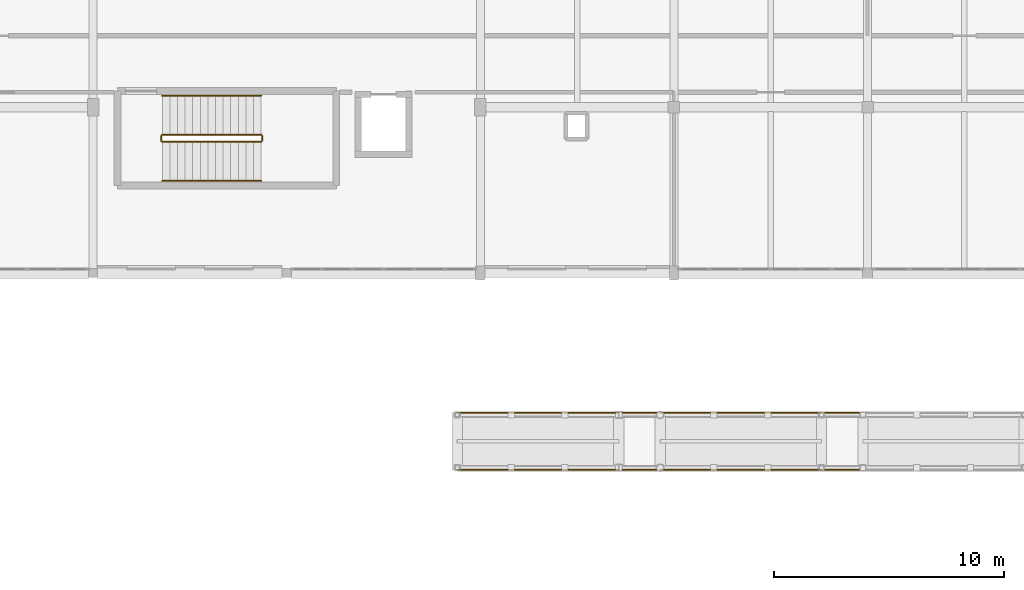
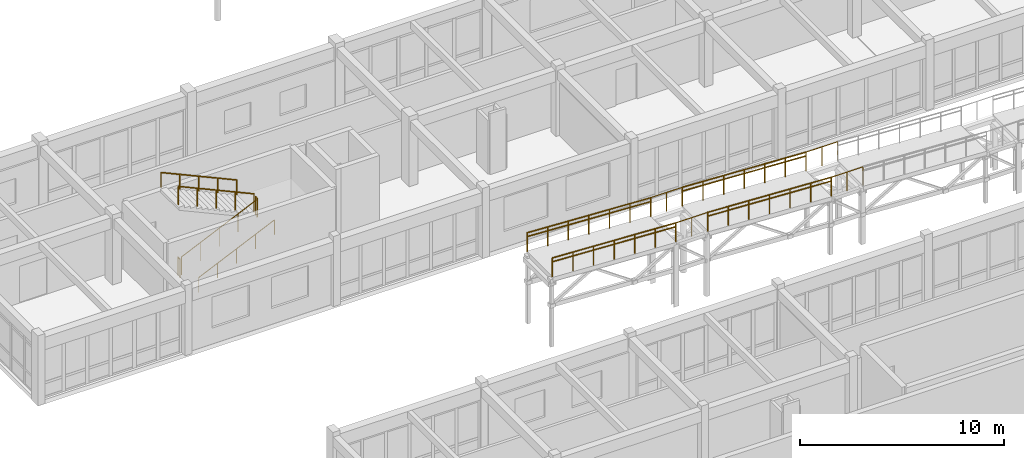
# One storey, part 83 of 89: 18 railings.
"""IFC4 building model written with IfcOpenShell, lengths in metres."""

from ifc_helpers import new_model, si_unit, direction, frame, origin, origin_2d, place, context, subcontext, project, spatial, circle, extrude, material, layer, layer_set, type_object, element, save


model = new_model("IFC4")

# Units and contexts
model_context = context("Model", 3, precision=1e-05, world=origin(), true_north=direction((0.0, 1.0)))
body_context = subcontext(model_context, "Body", "Model", "MODEL_VIEW")
ifc_project = project(units=[si_unit("LENGTHUNIT", "METRE"), si_unit("AREAUNIT", "SQUARE_METRE"), si_unit("VOLUMEUNIT", "CUBIC_METRE"), si_unit("PLANEANGLEUNIT", "RADIAN"), si_unit("MASSUNIT", "GRAM", prefix="KILO")], contexts=[model_context])

# Site, building, storey
site_placement = place(None, origin())
site = spatial("IfcSite", under=ifc_project, at=site_placement, CompositionType="ELEMENT")
building_placement = place(site_placement, origin())
building = spatial("IfcBuilding", under=site, at=building_placement, Name="Malvenik Polytechnic", CompositionType="ELEMENT")
storey_placement = place(building_placement, frame((0.0, 0.0, 13.5)))
storey = spatial("IfcBuildingStorey", under=building, at=storey_placement, Name="L03", CompositionType="ELEMENT", Elevation=13.5)

# Railings
ifc_material_1 = material(Name="Galvanised powder-coated steel and laminated glass guard 1150mm", Category="steel")
ifc_layer_1 = layer(ifc_material_1, 0.070068359375)
ifc_layer_set_1 = layer_set([ifc_layer_1], Name="Galvanised powder-coated steel and laminated glass guard 1150mm")
railing_type_1 = type_object("IfcRailingType", Name="ARC-RL-BAL-1150", PredefinedType="BALUSTRADE", material=ifc_layer_set_1)
for number, where, name in (
    (1, (40.0, 70.659912109375, 3.5), "Ramp Landing Balustrade RB-02 #10S"),
    (2, (40.0, 73.139892578125, 3.5), "Ramp Landing Balustrade RB-02 #10N"),
):
    element("IfcRailing", number, at=place(storey_placement, frame(where)), inside=storey, type_object=railing_type_1, Name=name, PredefinedType="BALUSTRADE", context=body_context, shape_type="SweptSolid", body=[
        extrude(circle(Radius=0.02392578125, at=origin_2d()), frame((0.0, 0.0, 1.1259765625), z_axis=(1.0, 0.0, 0.0), x_axis=(0.0, 1.0, 0.0)), (0.0, 0.0, 1.0), 1.800048828125),
        extrude(circle(Radius=0.02099609375, at=origin_2d()), origin(), (0.0, 0.0, 1.0), 1.101806640625),
        extrude(circle(Radius=0.02099609375, at=origin_2d()), frame((0.89990234375, 0.0, 0.0)), (0.0, 0.0, 1.0), 1.101806640625),
        extrude(circle(Radius=0.02099609375, at=origin_2d()), frame((1.800048828125, 0.0, 0.0)), (0.0, 0.0, 1.0), 1.101806640625),
    ])
for number, where, name in (
    (3, (33.0, 70.659912109375, 3.85009765625), "Ramp Balustrade RB-02 #11S"),
    (4, (33.0, 73.139892578125, 3.85009765625), "Ramp Balustrade RB-02 #11N"),
):
    element("IfcRailing", number, at=place(storey_placement, frame(where)), inside=storey, type_object=railing_type_1, Name=name, PredefinedType="BALUSTRADE", context=body_context, shape_type="SweptSolid", body=[
        extrude(circle(Radius=0.02392578125, at=origin_2d()), frame((0.0, 0.0, 1.1259765625), z_axis=(0.998751643845, 0.0, -0.049951515669), x_axis=(0.0, 1.0, 0.0)), (0.0, 0.0, 1.0), 7.0087890625),
        extrude(circle(Radius=0.02099609375, at=origin_2d()), origin(), (0.0, 0.0, 1.0), 1.101806640625),
        extrude(circle(Radius=0.02099609375, at=origin_2d()), frame((1.166748046875, 0.0, -0.058349609375)), (0.0, 0.0, 1.0), 1.101806640625),
        extrude(circle(Radius=0.02099609375, at=origin_2d()), frame((2.333251953125, 0.0, -0.11669921875)), (0.0, 0.0, 1.0), 1.101806640625),
        extrude(circle(Radius=0.02099609375, at=origin_2d()), frame((3.5, 0.0, -0.175048828125)), (0.0, 0.0, 1.0), 1.101806640625),
        extrude(circle(Radius=0.02099609375, at=origin_2d()), frame((4.666748046875, 0.0, -0.2333984375)), (0.0, 0.0, 1.0), 1.101806640625),
        extrude(circle(Radius=0.02099609375, at=origin_2d()), frame((5.833251953125, 0.0, -0.291748046875)), (0.0, 0.0, 1.0), 1.101806640625),
        extrude(circle(Radius=0.02099609375, at=origin_2d()), frame((7.0, 0.0, -0.35009765625)), (0.0, 0.0, 1.0), 1.101806640625),
    ])
for number, where, name in (
    (5, (31.199951171875, 70.659912109375, 3.85009765625), "Ramp Landing Balustrade RB-02 #11S"),
    (6, (31.199951171875, 73.139892578125, 3.85009765625), "Ramp Landing Balustrade RB-02 #11N"),
):
    element("IfcRailing", number, at=place(storey_placement, frame(where)), inside=storey, type_object=railing_type_1, Name=name, PredefinedType="BALUSTRADE", context=body_context, shape_type="SweptSolid", body=[
        extrude(circle(Radius=0.02392578125, at=origin_2d()), frame((0.0, 0.0, 1.1259765625), z_axis=(1.0, 0.0, 0.0), x_axis=(0.0, 1.0, 0.0)), (0.0, 0.0, 1.0), 1.800048828125),
        extrude(circle(Radius=0.02099609375, at=origin_2d()), origin(), (0.0, 0.0, 1.0), 1.101806640625),
        extrude(circle(Radius=0.02099609375, at=origin_2d()), frame((0.89990234375, 0.0, 0.0)), (0.0, 0.0, 1.0), 1.101806640625),
        extrude(circle(Radius=0.02099609375, at=origin_2d()), frame((1.800048828125, 0.0, 0.0)), (0.0, 0.0, 1.0), 1.101806640625),
    ])
for number, where, name in (
    (7, (24.199951171875, 70.659912109375, 4.199951171875), "Ramp Balustrade RB-02 #12S"),
    (8, (24.199951171875, 73.139892578125, 4.199951171875), "Ramp Balustrade RB-02 #12N"),
):
    element("IfcRailing", number, at=place(storey_placement, frame(where)), inside=storey, type_object=railing_type_1, Name=name, PredefinedType="BALUSTRADE", context=body_context, shape_type="SweptSolid", body=[
        extrude(circle(Radius=0.02392578125, at=origin_2d()), frame((0.0, 0.0, 1.1259765625), z_axis=(0.998753381067, 0.0, -0.049916768801), x_axis=(0.0, 1.0, 0.0)), (0.0, 0.0, 1.0), 7.0087890625),
        extrude(circle(Radius=0.02099609375, at=origin_2d()), origin(), (0.0, 0.0, 1.0), 1.101806640625),
        extrude(circle(Radius=0.02099609375, at=origin_2d()), frame((1.166748046875, 0.0, -0.058349609375)), (0.0, 0.0, 1.0), 1.101806640625),
        extrude(circle(Radius=0.02099609375, at=origin_2d()), frame((2.333251953125, 0.0, -0.11669921875)), (0.0, 0.0, 1.0), 1.101806640625),
        extrude(circle(Radius=0.02099609375, at=origin_2d()), frame((3.5, 0.0, -0.1748046875)), (0.0, 0.0, 1.0), 1.101806640625),
        extrude(circle(Radius=0.02099609375, at=origin_2d()), frame((4.666748046875, 0.0, -0.233154296875)), (0.0, 0.0, 1.0), 1.101806640625),
        extrude(circle(Radius=0.02099609375, at=origin_2d()), frame((5.833251953125, 0.0, -0.29150390625)), (0.0, 0.0, 1.0), 1.101806640625),
        extrude(circle(Radius=0.02099609375, at=origin_2d()), frame((7.0, 0.0, -0.349853515625)), (0.0, 0.0, 1.0), 1.101806640625),
    ])
ifc_material_2 = material(Name="Brushed stainless steel 1.4301 tubular handrail 50mm", Category="steel")
ifc_layer_2 = layer(ifc_material_2, 0.050048828125)
ifc_layer_set_2 = layer_set([ifc_layer_2], Name="Brushed stainless steel 1.4301 tubular handrail 50mm")
railing_type_2 = type_object("IfcRailingType", Name="ARC-RL-HR-920", PredefinedType="HANDRAIL", material=ifc_layer_set_2)
for number, where, name in (
    (9, (33.0, 70.659912109375, 3.85009765625), "Ramp Handrail RB-02 #11S"),
    (10, (33.0, 73.139892578125, 3.85009765625), "Ramp Handrail RB-02 #11N"),
):
    element("IfcRailing", number, at=place(storey_placement, frame(where)), inside=storey, type_object=railing_type_2, Name=name, PredefinedType="HANDRAIL", context=body_context, shape_type="SweptSolid", body=[
        extrude(circle(Radius=0.02392578125, at=origin_2d()), frame((0.0, 0.0, 0.89599609375), z_axis=(0.998751643845, 0.0, -0.049951515669), x_axis=(0.0, 1.0, 0.0)), (0.0, 0.0, 1.0), 7.0087890625),
        extrude(circle(Radius=0.02099609375, at=origin_2d()), origin(), (0.0, 0.0, 1.0), 0.871826171875),
        extrude(circle(Radius=0.02099609375, at=origin_2d()), frame((1.166748046875, 0.0, -0.058349609375)), (0.0, 0.0, 1.0), 0.871826171875),
        extrude(circle(Radius=0.02099609375, at=origin_2d()), frame((2.333251953125, 0.0, -0.11669921875)), (0.0, 0.0, 1.0), 0.871826171875),
        extrude(circle(Radius=0.02099609375, at=origin_2d()), frame((3.5, 0.0, -0.175048828125)), (0.0, 0.0, 1.0), 0.871826171875),
        extrude(circle(Radius=0.02099609375, at=origin_2d()), frame((4.666748046875, 0.0, -0.2333984375)), (0.0, 0.0, 1.0), 0.871826171875),
        extrude(circle(Radius=0.02099609375, at=origin_2d()), frame((5.833251953125, 0.0, -0.291748046875)), (0.0, 0.0, 1.0), 0.871826171875),
        extrude(circle(Radius=0.02099609375, at=origin_2d()), frame((7.0, 0.0, -0.35009765625)), (0.0, 0.0, 1.0), 0.871826171875),
    ])
for number, where, name in (
    (11, (24.199951171875, 70.659912109375, 4.199951171875), "Ramp Handrail RB-02 #12S"),
    (12, (24.199951171875, 73.139892578125, 4.199951171875), "Ramp Handrail RB-02 #12N"),
):
    element("IfcRailing", number, at=place(storey_placement, frame(where)), inside=storey, type_object=railing_type_2, Name=name, PredefinedType="HANDRAIL", context=body_context, shape_type="SweptSolid", body=[
        extrude(circle(Radius=0.02392578125, at=origin_2d()), frame((0.0, 0.0, 0.89599609375), z_axis=(0.998753381067, 0.0, -0.049916768801), x_axis=(0.0, 1.0, 0.0)), (0.0, 0.0, 1.0), 7.0087890625),
        extrude(circle(Radius=0.02099609375, at=origin_2d()), origin(), (0.0, 0.0, 1.0), 0.871826171875),
        extrude(circle(Radius=0.02099609375, at=origin_2d()), frame((1.166748046875, 0.0, -0.058349609375)), (0.0, 0.0, 1.0), 0.871826171875),
        extrude(circle(Radius=0.02099609375, at=origin_2d()), frame((2.333251953125, 0.0, -0.11669921875)), (0.0, 0.0, 1.0), 0.871826171875),
        extrude(circle(Radius=0.02099609375, at=origin_2d()), frame((3.5, 0.0, -0.1748046875)), (0.0, 0.0, 1.0), 0.871826171875),
        extrude(circle(Radius=0.02099609375, at=origin_2d()), frame((4.666748046875, 0.0, -0.233154296875)), (0.0, 0.0, 1.0), 0.871826171875),
        extrude(circle(Radius=0.02099609375, at=origin_2d()), frame((5.833251953125, 0.0, -0.29150390625)), (0.0, 0.0, 1.0), 0.871826171875),
        extrude(circle(Radius=0.02099609375, at=origin_2d()), frame((7.0, 0.0, -0.349853515625)), (0.0, 0.0, 1.0), 0.871826171875),
    ])
ifc_material_3 = material(Name="Painted galvanised steel stair well balustrade 1100mm", Category="steel")
ifc_layer_3 = layer(ifc_material_3, 0.050048828125)
ifc_layer_set_3 = layer_set([ifc_layer_3], Name="Painted galvanised steel stair well balustrade 1100mm")
railing_type_3 = type_object("IfcRailingType", Name="ARC-RL-STGD", PredefinedType="BALUSTRADE", material=ifc_layer_set_3)
railing_1_placement = place(storey_placement, frame((11.39990234375, 84.89990234375, 0.14990234375)))
element("IfcRailing", 13, at=railing_1_placement, inside=storey, type_object=railing_type_3, Name="L03 ST-04 stair guard 1", PredefinedType="BALUSTRADE", context=body_context, shape_type="SweptSolid", body=[
    extrude(circle(Radius=0.02392578125, at=origin_2d()), frame((0.0, 0.0, 1.076171875), z_axis=(0.910352283233, 0.0, 0.413834170184), x_axis=(0.0, 1.0, 0.0)), (0.0, 0.0, 1.0), 4.71240234375),
    extrude(circle(Radius=0.02099609375, at=origin_2d()), origin(), (0.0, 0.0, 1.0), 1.052001953125),
    extrude(circle(Radius=0.02099609375, at=origin_2d()), frame((1.072509765625, 0.0, 0.487548828125)), (0.0, 0.0, 1.0), 1.052001953125),
    extrude(circle(Radius=0.02099609375, at=origin_2d()), frame((2.14501953125, 0.0, 0.97509765625)), (0.0, 0.0, 1.0), 1.052001953125),
    extrude(circle(Radius=0.02099609375, at=origin_2d()), frame((3.217529296875, 0.0, 1.462646484375)), (0.0, 0.0, 1.0), 1.052001953125),
    extrude(circle(Radius=0.02099609375, at=origin_2d()), frame((4.2900390625, 0.0, 1.9501953125)), (0.0, 0.0, 1.0), 1.052001953125),
])
railing_2_placement = place(storey_placement, frame((15.739990234375, 84.949951171875, 2.10009765625)))
element("IfcRailing", 14, at=railing_2_placement, inside=storey, type_object=railing_type_3, Name="L03 ST-04 stair guard 2", PredefinedType="BALUSTRADE", context=body_context, shape_type="SweptSolid", body=[
    extrude(circle(Radius=0.02392578125, at=origin_2d()), frame((0.0, 0.0, 1.076171875), z_axis=(0.0, 1.0, 0.0), x_axis=(-1.0, 0.0, 0.0)), (0.0, 0.0, 1.0), 0.199951171875),
    extrude(circle(Radius=0.02099609375, at=origin_2d()), origin(), (0.0, 0.0, 1.0), 1.052001953125),
    extrude(circle(Radius=0.02099609375, at=origin_2d()), frame((0.0, 0.199951171875, 0.0)), (0.0, 0.0, 1.0), 1.052001953125),
])
railing_3_placement = place(storey_placement, frame((15.68994140625, 85.199951171875, 2.25)))
element("IfcRailing", 15, at=railing_3_placement, inside=storey, type_object=railing_type_3, Name="L03 ST-04 stair guard 3", PredefinedType="BALUSTRADE", context=body_context, shape_type="SweptSolid", body=[
    extrude(circle(Radius=0.02392578125, at=origin_2d()), frame((0.0, 0.0, 1.076171875), z_axis=(-0.910371800137, 0.0, 0.413791234219), x_axis=(0.0, -1.0, 0.0)), (0.0, 0.0, 1.0), 4.71240234375),
    extrude(circle(Radius=0.02099609375, at=origin_2d()), origin(), (0.0, 0.0, 1.0), 1.052001953125),
    extrude(circle(Radius=0.02099609375, at=origin_2d()), frame((-1.072509765625, 0.0, 0.487548828125)), (0.0, 0.0, 1.0), 1.052001953125),
    extrude(circle(Radius=0.02099609375, at=origin_2d()), frame((-2.14501953125, 0.0, 0.97509765625)), (0.0, 0.0, 1.0), 1.052001953125),
    extrude(circle(Radius=0.02099609375, at=origin_2d()), frame((-3.217529296875, 0.0, 1.46240234375)), (0.0, 0.0, 1.0), 1.052001953125),
    extrude(circle(Radius=0.02099609375, at=origin_2d()), frame((-4.2900390625, 0.0, 1.949951171875)), (0.0, 0.0, 1.0), 1.052001953125),
])
railing_4_placement = place(storey_placement, frame((11.35009765625, 84.949951171875, 0.0)))
element("IfcRailing", 16, at=railing_4_placement, inside=storey, type_object=railing_type_3, Name="L03 ST-04 stair guard 4", PredefinedType="BALUSTRADE", context=body_context, shape_type="SweptSolid", body=[
    extrude(circle(Radius=0.02392578125, at=origin_2d()), frame((0.0, 0.0, 1.076171875), z_axis=(0.0, 1.0, 0.0), x_axis=(-1.0, 0.0, 0.0)), (0.0, 0.0, 1.0), 0.199951171875),
    extrude(circle(Radius=0.02099609375, at=origin_2d()), origin(), (0.0, 0.0, 1.0), 1.052001953125),
    extrude(circle(Radius=0.02099609375, at=origin_2d()), frame((0.0, 0.199951171875, 0.0)), (0.0, 0.0, 1.0), 1.052001953125),
])
ifc_material_4 = material(Name="Brushed stainless steel 1.4301 stair wall handrail", Category="steel")
ifc_layer_4 = layer(ifc_material_4, 0.044921875)
ifc_layer_set_4 = layer_set([ifc_layer_4], Name="Brushed stainless steel 1.4301 stair wall handrail")
railing_type_4 = type_object("IfcRailingType", Name="ARC-RL-STHR", PredefinedType="HANDRAIL", material=ifc_layer_set_4)
railing_5_placement = place(storey_placement, frame((11.39990234375, 83.199951171875, 0.14990234375)))
element("IfcRailing", 17, at=railing_5_placement, inside=storey, type_object=railing_type_4, Name="L03 ST-04 stair handrail 1", PredefinedType="HANDRAIL", context=body_context, shape_type="SweptSolid", body=[
    extrude(circle(Radius=0.02392578125, at=origin_2d()), frame((0.0, 0.0, 0.8759765625), z_axis=(0.910352283233, 0.0, 0.413834170184), x_axis=(0.0, 1.0, 0.0)), (0.0, 0.0, 1.0), 4.71240234375),
    extrude(circle(Radius=0.02099609375, at=origin_2d()), origin(), (0.0, 0.0, 1.0), 0.851806640625),
    extrude(circle(Radius=0.02099609375, at=origin_2d()), frame((1.072509765625, 0.0, 0.487548828125)), (0.0, 0.0, 1.0), 0.851806640625),
    extrude(circle(Radius=0.02099609375, at=origin_2d()), frame((2.14501953125, 0.0, 0.97509765625)), (0.0, 0.0, 1.0), 0.851806640625),
    extrude(circle(Radius=0.02099609375, at=origin_2d()), frame((3.217529296875, 0.0, 1.462646484375)), (0.0, 0.0, 1.0), 0.851806640625),
    extrude(circle(Radius=0.02099609375, at=origin_2d()), frame((4.2900390625, 0.0, 1.9501953125)), (0.0, 0.0, 1.0), 0.851806640625),
])
railing_6_placement = place(storey_placement, frame((15.68994140625, 86.89990234375, 2.25)))
element("IfcRailing", 18, at=railing_6_placement, inside=storey, type_object=railing_type_4, Name="L03 ST-04 stair handrail 2", PredefinedType="HANDRAIL", context=body_context, shape_type="SweptSolid", body=[
    extrude(circle(Radius=0.02392578125, at=origin_2d()), frame((0.0, 0.0, 0.8759765625), z_axis=(-0.910371800137, 0.0, 0.413791234219), x_axis=(0.0, -1.0, 0.0)), (0.0, 0.0, 1.0), 4.71240234375),
    extrude(circle(Radius=0.02099609375, at=origin_2d()), origin(), (0.0, 0.0, 1.0), 0.851806640625),
    extrude(circle(Radius=0.02099609375, at=origin_2d()), frame((-1.072509765625, 0.0, 0.487548828125)), (0.0, 0.0, 1.0), 0.851806640625),
    extrude(circle(Radius=0.02099609375, at=origin_2d()), frame((-2.14501953125, 0.0, 0.97509765625)), (0.0, 0.0, 1.0), 0.851806640625),
    extrude(circle(Radius=0.02099609375, at=origin_2d()), frame((-3.217529296875, 0.0, 1.46240234375)), (0.0, 0.0, 1.0), 0.851806640625),
    extrude(circle(Radius=0.02099609375, at=origin_2d()), frame((-4.2900390625, 0.0, 1.949951171875)), (0.0, 0.0, 1.0), 0.851806640625),
])

save(model, "model.ifc")
